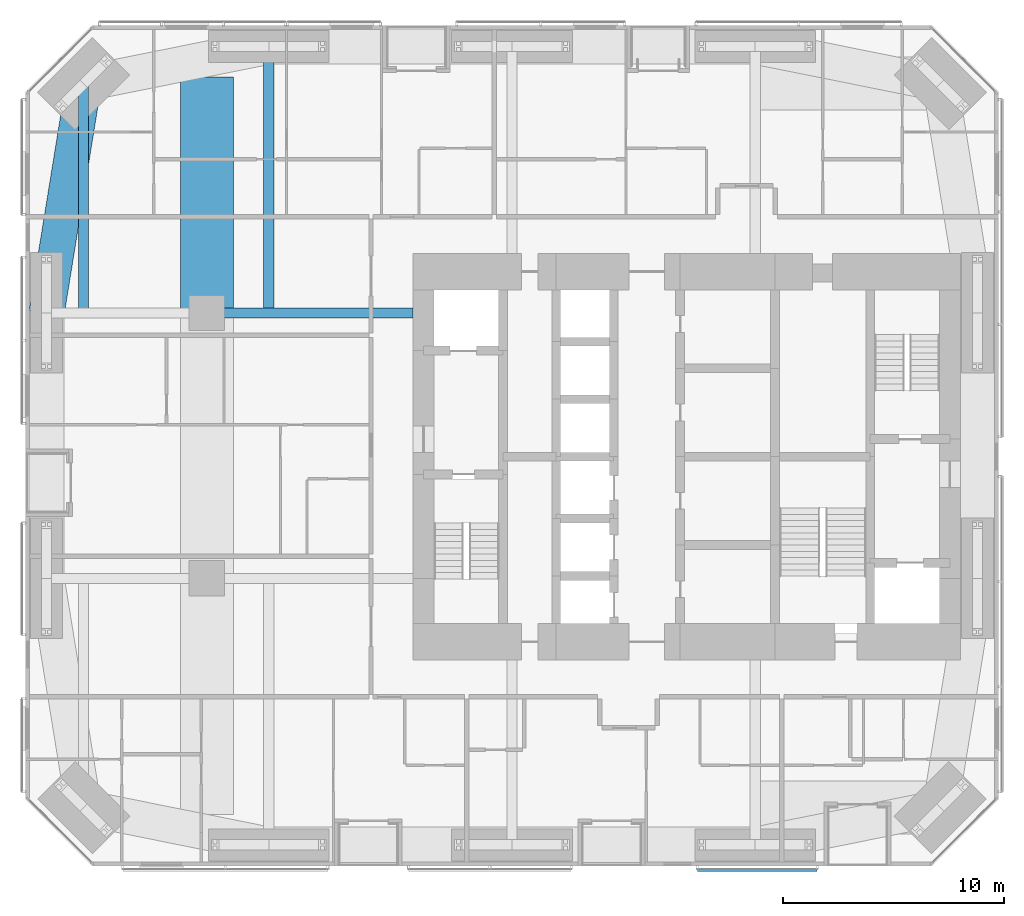
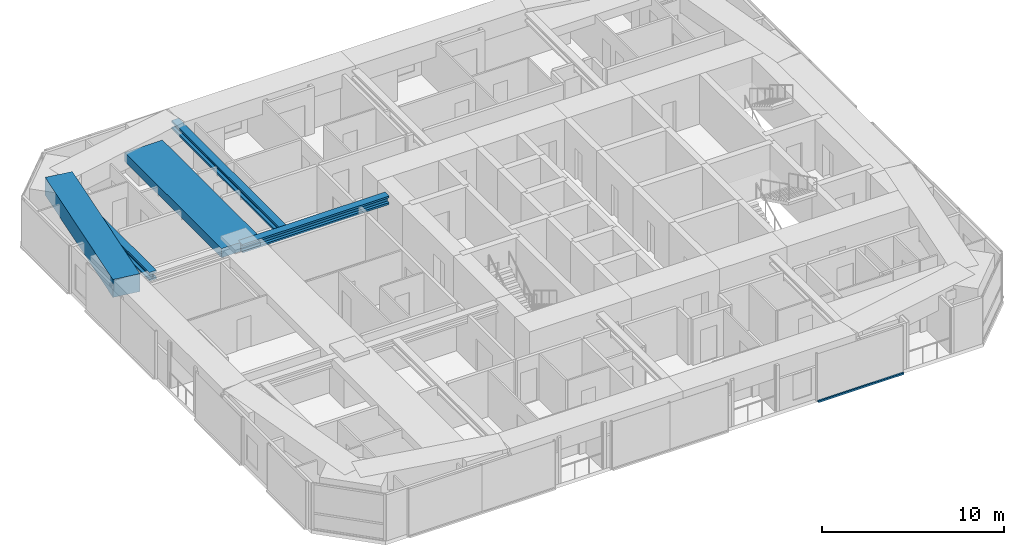
# One storey, part 7 of 23: 5 beams, 1 member, 1 element without a shape of its own.
"""IFC4 building model written with IfcOpenShell, lengths in metres."""

from ifc_helpers import new_model, si_unit, direction, frame, origin, origin_2d, place, context, subcontext, project, spatial, rectangle, i_section, extrude, material, material_profile, profile_set, type_object, element, aggregate, save


model = new_model("IFC4")

# Units and contexts
model_context = context("Model", 3, precision=1e-05, world=origin(), true_north=direction((0.0, 1.0)))
body_context = subcontext(model_context, "Body", "Model", "MODEL_VIEW")
ifc_project = project(units=[si_unit("LENGTHUNIT", "METRE"), si_unit("AREAUNIT", "SQUARE_METRE"), si_unit("VOLUMEUNIT", "CUBIC_METRE"), si_unit("PLANEANGLEUNIT", "RADIAN"), si_unit("MASSUNIT", "GRAM", prefix="KILO")], contexts=[model_context])

# Site, building, storey
site_placement = place(None, origin())
site = spatial("IfcSite", under=ifc_project, at=site_placement, CompositionType="ELEMENT")
building_placement = place(site_placement, origin())
building = spatial("IfcBuilding", under=site, at=building_placement, Name="Jalousie Tower", CompositionType="ELEMENT")
storey_placement = place(building_placement, frame((0.0, 0.0, 41.10009765625)))
storey = spatial("IfcBuildingStorey", under=building, at=storey_placement, Name="L10", CompositionType="ELEMENT", Elevation=41.10009765625)

# Beams
ifc_material_1 = material(Name="Steel ASTM A992 Grade 50", Category="steel")
ifc_material_profile_1 = material_profile(ifc_material_1, i_section(OverallWidth=0.45458984375, OverallDepth=0.569091796875, WebThickness=0.077880859375, FlangeThickness=0.124755859375, at=origin_2d()), Name="W14X730")
ifc_profile_set_1 = profile_set([ifc_material_profile_1], Name="Steel ASTM A992 Grade 50")
beam_type_1 = type_object("IfcBeamType", Name="LEAN COLLECTOR W14X730", PredefinedType="BEAM", material=ifc_profile_set_1)
beam_1_placement = place(storey_placement, frame((10.199951171875, 25.0, 2.825439453125), z_axis=(1.0, 0.0, 0.0), x_axis=(0.0, 1.0, 0.0)))
element("IfcBeam", 1, at=beam_1_placement, inside=storey, type_object=beam_type_1, Name="Lean collector under L11", PredefinedType="BEAM", context=body_context, shape_type="SweptSolid", body=[
    extrude(i_section(OverallWidth=0.45458984375, OverallDepth=0.569091796875, WebThickness=0.077880859375, FlangeThickness=0.124755859375, at=origin_2d()), origin(), (0.0, 0.0, 1.0), 9.324951171875),
])
beam_2_placement = place(storey_placement, frame((4.63134765625, 35.36865234375, 2.825439453125), z_axis=(0.0, -1.0, 0.0), x_axis=(1.0, 0.0, 0.0)))
element("IfcBeam", 2, at=beam_2_placement, inside=storey, type_object=beam_type_1, Name="Lean collector under L11", PredefinedType="BEAM", context=body_context, shape_type="SweptSolid", body=[
    extrude(i_section(OverallWidth=0.45458984375, OverallDepth=0.569091796875, WebThickness=0.077880859375, FlangeThickness=0.124755859375, at=origin_2d()), origin(), (0.0, 0.0, 1.0), 10.36865234375),
])
beam_3_placement = place(storey_placement, frame((13.0, 37.050048828125, 2.825439453125), z_axis=(0.0, -1.0, 0.0), x_axis=(1.0, 0.0, 0.0)))
element("IfcBeam", 3, at=beam_3_placement, inside=storey, type_object=beam_type_1, Name="Lean collector under L11", PredefinedType="BEAM", context=body_context, shape_type="SweptSolid", body=[
    extrude(i_section(OverallWidth=0.45458984375, OverallDepth=0.569091796875, WebThickness=0.077880859375, FlangeThickness=0.124755859375, at=origin_2d()), origin(), (0.0, 0.0, 1.0), 12.050048828125),
])
ifc_material_2 = material(Name="Concrete f'c 40 MPa", Category="concrete")
ifc_material_profile_2 = material_profile(ifc_material_2, rectangle(XDim=1.60009765625, YDim=1.199951171875, at=origin_2d()), Name="RC 1600x1200")
ifc_profile_set_2 = profile_set([ifc_material_profile_2], Name="Concrete f'c 40 MPa")
beam_type_2 = type_object("IfcBeamType", Name="RC BEAM 1600x1200", PredefinedType="BEAM", material=ifc_profile_set_2)
beam_4_placement = place(storey_placement, frame((4.63134765625, 35.36865234375, 2.75), z_axis=(-0.160070546476, -0.987105577003, 0.0), x_axis=(0.987105577003, -0.160070546476, 0.0)))
element("IfcBeam", 4, at=beam_4_placement, inside=storey, type_object=beam_type_2, Name="Edge band beam 12-13 under L11", PredefinedType="BEAM", context=body_context, shape_type="SweptSolid", body=[
    extrude(rectangle(XDim=1.60009765625, YDim=1.199951171875, at=origin_2d()), origin(), (0.0, 0.0, 1.0), 10.504150390625),
])
ifc_material_3 = material(Name="Concrete f'c 40 MPa", Category="concrete")
ifc_material_profile_3 = material_profile(ifc_material_3, rectangle(XDim=2.39990234375, YDim=0.60009765625, at=origin_2d()), Name="RC 2400x600")
ifc_profile_set_3 = profile_set([ifc_material_profile_3], Name="Concrete f'c 40 MPa")
beam_type_3 = type_object("IfcBeamType", Name="RC BEAM 2400x600", PredefinedType="BEAM", material=ifc_profile_set_3)
beam_5_placement = place(storey_placement, frame((10.199951171875, 25.0, 2.809814453125), z_axis=(0.0, 1.0, 0.0), x_axis=(-1.0, 0.0, 0.0)))
element("IfcBeam", 5, at=beam_5_placement, inside=storey, type_object=beam_type_3, Name="Floor band beam under L11", PredefinedType="BEAM", context=body_context, shape_type="SweptSolid", body=[
    extrude(rectangle(XDim=2.39990234375, YDim=0.60009765625, at=origin_2d()), origin(), (0.0, 0.0, 1.0), 10.67138671875),
])

# Curtain wall, member
ifc_material_4 = material(Name="Perforated aluminium sheet", Category="aluminium")
curtain_wall_type = type_object("IfcCurtainWallType", Name="SOLAR SCREEN SS-1", PredefinedType="USERDEFINED", material=ifc_material_4)
curtain_wall_placement = place(storey_placement, origin())
curtain_wall = element("IfcCurtainWall", 6, at=curtain_wall_placement, inside=storey, type_object=curtain_wall_type, Name="Solar screen L10", ObjectType="SOLAR SCREEN SS-1", PredefinedType="USERDEFINED")
ifc_material_5 = material(Name="Extruded aluminium screen rail", Category="aluminium")
ifc_material_profile_4 = material_profile(ifc_material_5, rectangle(XDim=0.1015625, YDim=0.1201171875, at=origin_2d()), Name="RAIL 102x120")
ifc_profile_set_4 = profile_set([ifc_material_profile_4], Name="Extruded aluminium screen rail")
member_type = type_object("IfcMemberType", Name="SOLAR SCREEN SS-1 TRANSOM", PredefinedType="USERDEFINED", material=ifc_profile_set_4)
member_placement = place(storey_placement, frame((32.382568359375, -0.1982421875, -0.06005859375), z_axis=(1.0, 0.0, 0.0), x_axis=(0.0, 1.0, 0.0)))
member = element("IfcMember", 7, at=member_placement, type_object=member_type, Name="SS1 rail", ObjectType="TRANSOM", PredefinedType="USERDEFINED", context=body_context, shape_type="SweptSolid", body=[
    extrude(rectangle(XDim=0.1015625, YDim=0.1201171875, at=origin_2d()), origin(), (0.0, 0.0, 1.0), 5.41748046875),
])
aggregate(curtain_wall, [member])

save(model, "model.ifc")
